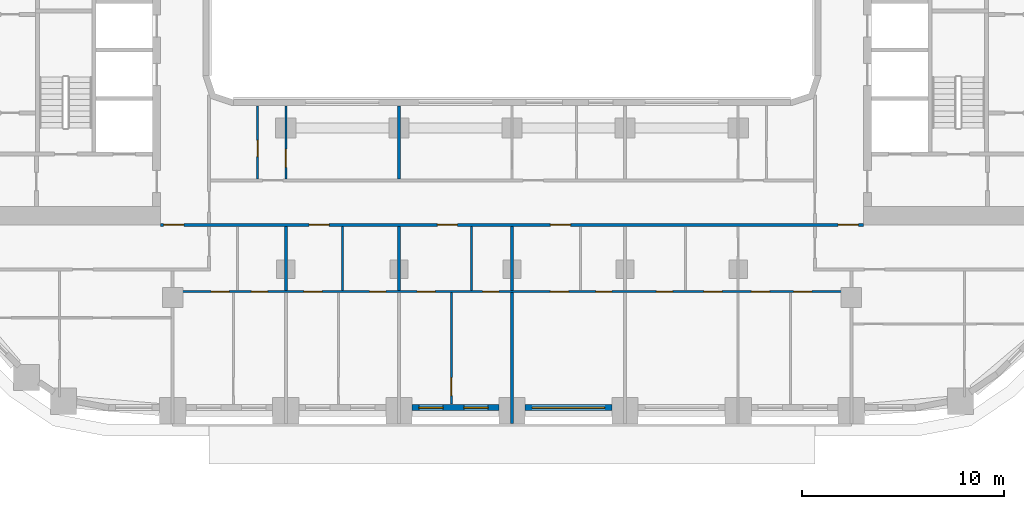
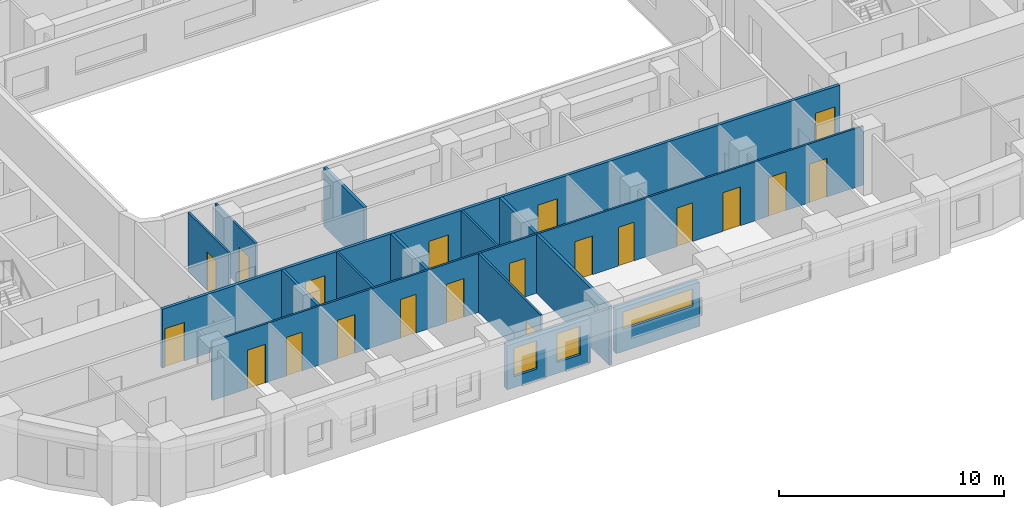
# One storey, part 3 of 22: 20 doors, 14 walls, 3 windows, 23 openings.
"""IFC4 building model written with IfcOpenShell, lengths in metres."""

from ifc_helpers import new_model, si_unit, direction, frame, frame_2d, origin, place, context, subcontext, project, spatial, rectangle, extrude, material, layer, layer_set, type_object, element, fill, save


model = new_model("IFC4")

# Units and contexts
model_context = context("Model", 3, precision=1e-05, world=origin(), true_north=direction((0.0, 1.0)))
body_context = subcontext(model_context, "Body", "Model", "MODEL_VIEW")
ifc_project = project(units=[si_unit("LENGTHUNIT", "METRE"), si_unit("AREAUNIT", "SQUARE_METRE"), si_unit("VOLUMEUNIT", "CUBIC_METRE"), si_unit("PLANEANGLEUNIT", "RADIAN"), si_unit("MASSUNIT", "GRAM", prefix="KILO")], contexts=[model_context])

# Site, building, storey
site_placement = place(None, origin())
site = spatial("IfcSite", under=ifc_project, at=site_placement, CompositionType="ELEMENT")
building_placement = place(site_placement, origin())
building = spatial("IfcBuilding", under=site, at=building_placement, Name="Kiln Ring Residences", CompositionType="ELEMENT")
storey_placement = place(building_placement, frame((0.0, 0.0, 90.300048828125)))
storey = spatial("IfcBuildingStorey", under=building, at=storey_placement, Name="L22", CompositionType="ELEMENT", Elevation=90.300048828125)

# Wall, openings, windows
ifc_material_1 = material(Name="Brick masonry, dark clay brick", Category="masonry")
ifc_layer_1 = layer(ifc_material_1, 0.300048828125)
ifc_layer_set_1 = layer_set([ifc_layer_1], Name="EW-300 BRICK WALL")
wall_type_1 = type_object("IfcWallType", Name="EW-300 BRICK WALL", PredefinedType="SOLIDWALL", material=ifc_layer_set_1)
wall_1_placement = place(storey_placement, frame((-4.949951171875, -22.25, 0.0), z_axis=(0.0, 0.0, 1.0), x_axis=(1.0, 0.0, 0.0)))
wall_1 = element("IfcWall", 1, at=wall_1_placement, inside=storey, type_object=wall_type_1, Name="Facade wall L22 7", PredefinedType="SOLIDWALL", context=body_context, shape_type="SweptSolid", body=[
    extrude(rectangle(XDim=4.300048828125, YDim=0.300048828125, at=frame_2d((2.14990234375, 0.0))), origin(), (0.0, 0.0, 1.0), 2.39990234375),
])
opening_1_placement = place(wall_1_placement, frame((0.33740234375, 0.0, 0.60009765625)))
opening_1 = element("IfcOpeningElement", 2, at=opening_1_placement, cuts=wall_1, Name="Opening W1", PredefinedType="OPENING", context=body_context, shape_type="SweptSolid", body=[
    extrude(rectangle(XDim=1.199951171875, YDim=1.550048828125, at=frame_2d((0.60009765625, 0.77490234375))), frame((0.0, 0.159912109375, 0.0), z_axis=(0.0, -1.0, 0.0), x_axis=(1.0, 0.0, 0.0)), (0.0, 0.0, 1.0), 0.320068359375),
])
opening_2_placement = place(wall_1_placement, frame((2.5625, 0.0, 0.60009765625)))
opening_2 = element("IfcOpeningElement", 3, at=opening_2_placement, cuts=wall_1, Name="Opening W1", PredefinedType="OPENING", context=body_context, shape_type="SweptSolid", body=[
    extrude(rectangle(XDim=1.199951171875, YDim=1.550048828125, at=frame_2d((0.60009765625, 0.77490234375))), frame((0.0, 0.159912109375, 0.0), z_axis=(0.0, -1.0, 0.0), x_axis=(1.0, 0.0, 0.0)), (0.0, 0.0, 1.0), 0.320068359375),
])
ifc_material_2 = material(Name="Aluminium frame with double glazing", Category="aluminium")
window_type_1 = type_object("IfcWindowType", Name="WINDOW 1200 x 1550", PartitioningType="SINGLE_PANEL", PredefinedType="WINDOW", material=ifc_material_2)
window_1_placement = place(opening_1_placement, origin())
window_1 = element("IfcWindow", 4, at=window_1_placement, inside=storey, type_object=window_type_1, Name="Window L22 7", OverallHeight=1.550048828125, OverallWidth=1.199951171875, PartitioningType="SINGLE_PANEL", PredefinedType="WINDOW", context=body_context, shape_type="SweptSolid", body=[
    extrude(rectangle(XDim=1.199951171875, YDim=1.550048828125, at=frame_2d((0.60009765625, 0.77490234375))), frame((0.0, 0.030029296875, 0.0), z_axis=(0.0, -1.0, 0.0), x_axis=(1.0, 0.0, 0.0)), (0.0, 0.0, 1.0), 0.06005859375),
])
fill(opening_1, window_1)
window_2_placement = place(opening_2_placement, origin())
window_2 = element("IfcWindow", 5, at=window_2_placement, inside=storey, type_object=window_type_1, Name="Window L22 8", OverallHeight=1.550048828125, OverallWidth=1.199951171875, PartitioningType="SINGLE_PANEL", PredefinedType="WINDOW", context=body_context, shape_type="SweptSolid", body=[
    extrude(rectangle(XDim=1.199951171875, YDim=1.550048828125, at=frame_2d((0.60009765625, 0.77490234375))), frame((0.0, 0.030029296875, 0.0), z_axis=(0.0, -1.0, 0.0), x_axis=(1.0, 0.0, 0.0)), (0.0, 0.0, 1.0), 0.06005859375),
])
fill(opening_2, window_2)

# Wall, opening, window
wall_2_placement = place(storey_placement, frame((0.64990234375, -22.25, 0.0), z_axis=(0.0, 0.0, 1.0), x_axis=(1.0, 0.0, 0.0)))
wall_2 = element("IfcWall", 6, at=wall_2_placement, inside=storey, type_object=wall_type_1, Name="Facade wall L22 8", PredefinedType="SOLIDWALL", context=body_context, shape_type="SweptSolid", body=[
    extrude(rectangle(XDim=4.300048828125, YDim=0.300048828125, at=frame_2d((2.14990234375, 0.0))), origin(), (0.0, 0.0, 1.0), 2.39990234375),
])
opening_3_placement = place(wall_2_placement, frame((0.35009765625, 0.0, 1.199951171875)))
opening_3 = element("IfcOpeningElement", 7, at=opening_3_placement, cuts=wall_2, Name="Opening W4", PredefinedType="OPENING", context=body_context, shape_type="SweptSolid", body=[
    extrude(rectangle(XDim=3.60009765625, YDim=0.949951171875, at=frame_2d((1.800048828125, 0.47509765625))), frame((0.0, 0.159912109375, 0.0), z_axis=(0.0, -1.0, 0.0), x_axis=(1.0, 0.0, 0.0)), (0.0, 0.0, 1.0), 0.320068359375),
])
ifc_material_3 = material(Name="Aluminium frame with double glazing", Category="aluminium")
window_type_2 = type_object("IfcWindowType", Name="WINDOW 3600 x 950", PartitioningType="SINGLE_PANEL", PredefinedType="WINDOW", material=ifc_material_3)
window_3_placement = place(opening_3_placement, origin())
window_3 = element("IfcWindow", 8, at=window_3_placement, inside=storey, type_object=window_type_2, Name="Window L22 9", OverallHeight=0.949951171875, OverallWidth=3.60009765625, PartitioningType="SINGLE_PANEL", PredefinedType="WINDOW", context=body_context, shape_type="SweptSolid", body=[
    extrude(rectangle(XDim=3.60009765625, YDim=0.949951171875, at=frame_2d((1.800048828125, 0.47509765625))), frame((0.0, 0.030029296875, 0.0), z_axis=(0.0, -1.0, 0.0), x_axis=(1.0, 0.0, 0.0)), (0.0, 0.0, 1.0), 0.06005859375),
])
fill(opening_3, window_3)

# Wall, openings, doors
ifc_material_4 = material(Name="Gypsum board on steel studs", Category="steel")
ifc_layer_2 = layer(ifc_material_4, 0.10009765625)
ifc_layer_set_2 = layer_set([ifc_layer_2], Name="PARTITION-100")
wall_type_2 = type_object("IfcWallType", Name="PARTITION-100", PredefinedType="PARTITIONING", material=ifc_layer_set_2)
wall_3_placement = place(storey_placement, frame((-16.72509765625, -16.5, 0.0), z_axis=(0.0, 0.0, 1.0), x_axis=(1.0, 0.0, 0.0)))
wall_3 = element("IfcWall", 9, at=wall_3_placement, inside=storey, type_object=wall_type_2, Name="Partition 002", PredefinedType="PARTITIONING", context=body_context, shape_type="SweptSolid", body=[
    extrude(rectangle(XDim=33.4501953125, YDim=0.10009765625, at=frame_2d((16.72509765625, 0.0))), origin(), (0.0, 0.0, 1.0), 3.199951171875),
])
opening_4_placement = place(wall_3_placement, frame((3.824951171875, 0.0, 0.0)))
opening_4 = element("IfcOpeningElement", 10, at=opening_4_placement, cuts=wall_3, Name="Opening L22-D053", PredefinedType="OPENING", context=body_context, shape_type="SweptSolid", body=[
    extrude(rectangle(XDim=0.800048828125, YDim=2.10009765625, at=frame_2d((0.39990234375, 1.050048828125))), frame((0.0, 0.06005859375, 0.0), z_axis=(0.0, -1.0, 0.0), x_axis=(1.0, 0.0, 0.0)), (0.0, 0.0, 1.0), 0.1201171875),
])
opening_5_placement = place(wall_3_placement, frame((1.824951171875, 0.0, 0.0)))
opening_5 = element("IfcOpeningElement", 11, at=opening_5_placement, cuts=wall_3, Name="Opening L22-D054", PredefinedType="OPENING", context=body_context, shape_type="SweptSolid", body=[
    extrude(rectangle(XDim=0.89990234375, YDim=2.10009765625, at=frame_2d((0.449951171875, 1.050048828125))), frame((0.0, 0.06005859375, 0.0), z_axis=(0.0, -1.0, 0.0), x_axis=(1.0, 0.0, 0.0)), (0.0, 0.0, 1.0), 0.1201171875),
])
opening_6_placement = place(wall_3_placement, frame((9.675048828125, 0.0, 0.0)))
opening_6 = element("IfcOpeningElement", 12, at=opening_6_placement, cuts=wall_3, Name="Opening L22-D057", PredefinedType="OPENING", context=body_context, shape_type="SweptSolid", body=[
    extrude(rectangle(XDim=0.800048828125, YDim=2.10009765625, at=frame_2d((0.39990234375, 1.050048828125))), frame((0.0, 0.06005859375, 0.0), z_axis=(0.0, -1.0, 0.0), x_axis=(1.0, 0.0, 0.0)), (0.0, 0.0, 1.0), 0.1201171875),
])
opening_7_placement = place(wall_3_placement, frame((6.425048828125, 0.0, 0.0)))
opening_7 = element("IfcOpeningElement", 13, at=opening_7_placement, cuts=wall_3, Name="Opening L22-D058", PredefinedType="OPENING", context=body_context, shape_type="SweptSolid", body=[
    extrude(rectangle(XDim=0.89990234375, YDim=2.10009765625, at=frame_2d((0.449951171875, 1.050048828125))), frame((0.0, 0.06005859375, 0.0), z_axis=(0.0, -1.0, 0.0), x_axis=(1.0, 0.0, 0.0)), (0.0, 0.0, 1.0), 0.1201171875),
])
opening_8_placement = place(wall_3_placement, frame((15.27490234375, 0.0, 0.0)))
opening_8 = element("IfcOpeningElement", 14, at=opening_8_placement, cuts=wall_3, Name="Opening L22-D061", PredefinedType="OPENING", context=body_context, shape_type="SweptSolid", body=[
    extrude(rectangle(XDim=0.800048828125, YDim=2.10009765625, at=frame_2d((0.39990234375, 1.050048828125))), frame((0.0, 0.06005859375, 0.0), z_axis=(0.0, -1.0, 0.0), x_axis=(1.0, 0.0, 0.0)), (0.0, 0.0, 1.0), 0.1201171875),
])
opening_9_placement = place(wall_3_placement, frame((12.02490234375, 0.0, 0.0)))
opening_9 = element("IfcOpeningElement", 15, at=opening_9_placement, cuts=wall_3, Name="Opening L22-D062", PredefinedType="OPENING", context=body_context, shape_type="SweptSolid", body=[
    extrude(rectangle(XDim=0.89990234375, YDim=2.10009765625, at=frame_2d((0.449951171875, 1.050048828125))), frame((0.0, 0.06005859375, 0.0), z_axis=(0.0, -1.0, 0.0), x_axis=(1.0, 0.0, 0.0)), (0.0, 0.0, 1.0), 0.1201171875),
])
opening_10_placement = place(wall_3_placement, frame((20.875, 0.0, 0.0)))
opening_10 = element("IfcOpeningElement", 16, at=opening_10_placement, cuts=wall_3, Name="Opening L22-D065", PredefinedType="OPENING", context=body_context, shape_type="SweptSolid", body=[
    extrude(rectangle(XDim=0.800048828125, YDim=2.10009765625, at=frame_2d((0.39990234375, 1.050048828125))), frame((0.0, 0.06005859375, 0.0), z_axis=(0.0, -1.0, 0.0), x_axis=(1.0, 0.0, 0.0)), (0.0, 0.0, 1.0), 0.1201171875),
])
opening_11_placement = place(wall_3_placement, frame((18.625, 0.0, 0.0)))
opening_11 = element("IfcOpeningElement", 17, at=opening_11_placement, cuts=wall_3, Name="Opening L22-D066", PredefinedType="OPENING", context=body_context, shape_type="SweptSolid", body=[
    extrude(rectangle(XDim=0.89990234375, YDim=2.10009765625, at=frame_2d((0.449951171875, 1.050048828125))), frame((0.0, 0.06005859375, 0.0), z_axis=(0.0, -1.0, 0.0), x_axis=(1.0, 0.0, 0.0)), (0.0, 0.0, 1.0), 0.1201171875),
])
opening_12_placement = place(wall_3_placement, frame((23.875, 0.0, 0.0)))
opening_12 = element("IfcOpeningElement", 18, at=opening_12_placement, cuts=wall_3, Name="Opening L22-D069", PredefinedType="OPENING", context=body_context, shape_type="SweptSolid", body=[
    extrude(rectangle(XDim=0.800048828125, YDim=2.10009765625, at=frame_2d((0.39990234375, 1.050048828125))), frame((0.0, 0.06005859375, 0.0), z_axis=(0.0, -1.0, 0.0), x_axis=(1.0, 0.0, 0.0)), (0.0, 0.0, 1.0), 0.1201171875),
])
opening_13_placement = place(wall_3_placement, frame((26.22509765625, 0.0, 0.0)))
opening_13 = element("IfcOpeningElement", 19, at=opening_13_placement, cuts=wall_3, Name="Opening L22-D070", PredefinedType="OPENING", context=body_context, shape_type="SweptSolid", body=[
    extrude(rectangle(XDim=0.89990234375, YDim=2.10009765625, at=frame_2d((0.449951171875, 1.050048828125))), frame((0.0, 0.06005859375, 0.0), z_axis=(0.0, -1.0, 0.0), x_axis=(1.0, 0.0, 0.0)), (0.0, 0.0, 1.0), 0.1201171875),
])
opening_14_placement = place(wall_3_placement, frame((28.574951171875, 0.0, 0.0)))
opening_14 = element("IfcOpeningElement", 20, at=opening_14_placement, cuts=wall_3, Name="Opening L22-D071", PredefinedType="OPENING", context=body_context, shape_type="SweptSolid", body=[
    extrude(rectangle(XDim=0.89990234375, YDim=2.10009765625, at=frame_2d((0.449951171875, 1.050048828125))), frame((0.0, 0.06005859375, 0.0), z_axis=(0.0, -1.0, 0.0), x_axis=(1.0, 0.0, 0.0)), (0.0, 0.0, 1.0), 0.1201171875),
])
opening_15_placement = place(wall_3_placement, frame((30.675048828125, 0.0, 0.0)))
opening_15 = element("IfcOpeningElement", 21, at=opening_15_placement, cuts=wall_3, Name="Opening L22-D072", PredefinedType="OPENING", context=body_context, shape_type="SweptSolid", body=[
    extrude(rectangle(XDim=0.89990234375, YDim=2.10009765625, at=frame_2d((0.449951171875, 1.050048828125))), frame((0.0, 0.06005859375, 0.0), z_axis=(0.0, -1.0, 0.0), x_axis=(1.0, 0.0, 0.0)), (0.0, 0.0, 1.0), 0.1201171875),
])
ifc_material_5 = material(Name="Timber door leaf", Category="wood")
door_type_1 = type_object("IfcDoorType", Name="FLAT-DOOR-800-PL", OperationType="SINGLE_SWING_LEFT", PredefinedType="DOOR", material=ifc_material_5)
door_1_placement = place(opening_4_placement, origin())
door_1 = element("IfcDoor", 22, at=door_1_placement, inside=storey, type_object=door_type_1, Name="Door L22-D053", OperationType="SINGLE_SWING_LEFT", OverallHeight=2.10009765625, OverallWidth=0.800048828125, PredefinedType="DOOR", context=body_context, shape_type="SweptSolid", body=[
    extrude(rectangle(XDim=0.800048828125, YDim=2.10009765625, at=frame_2d((0.39990234375, 1.050048828125))), frame((0.0, 0.02490234375, 0.0), z_axis=(0.0, -1.0, 0.0), x_axis=(1.0, 0.0, 0.0)), (0.0, 0.0, 1.0), 0.050048828125),
])
fill(opening_4, door_1)
door_2_placement = place(opening_6_placement, origin())
door_2 = element("IfcDoor", 23, at=door_2_placement, inside=storey, type_object=door_type_1, Name="Door L22-D057", OperationType="SINGLE_SWING_LEFT", OverallHeight=2.10009765625, OverallWidth=0.800048828125, PredefinedType="DOOR", context=body_context, shape_type="SweptSolid", body=[
    extrude(rectangle(XDim=0.800048828125, YDim=2.10009765625, at=frame_2d((0.39990234375, 1.050048828125))), frame((0.0, 0.02490234375, 0.0), z_axis=(0.0, -1.0, 0.0), x_axis=(1.0, 0.0, 0.0)), (0.0, 0.0, 1.0), 0.050048828125),
])
fill(opening_6, door_2)
door_3_placement = place(opening_8_placement, origin())
door_3 = element("IfcDoor", 24, at=door_3_placement, inside=storey, type_object=door_type_1, Name="Door L22-D061", OperationType="SINGLE_SWING_LEFT", OverallHeight=2.10009765625, OverallWidth=0.800048828125, PredefinedType="DOOR", context=body_context, shape_type="SweptSolid", body=[
    extrude(rectangle(XDim=0.800048828125, YDim=2.10009765625, at=frame_2d((0.39990234375, 1.050048828125))), frame((0.0, 0.02490234375, 0.0), z_axis=(0.0, -1.0, 0.0), x_axis=(1.0, 0.0, 0.0)), (0.0, 0.0, 1.0), 0.050048828125),
])
fill(opening_8, door_3)
door_4_placement = place(opening_10_placement, origin())
door_4 = element("IfcDoor", 25, at=door_4_placement, inside=storey, type_object=door_type_1, Name="Door L22-D065", OperationType="SINGLE_SWING_LEFT", OverallHeight=2.10009765625, OverallWidth=0.800048828125, PredefinedType="DOOR", context=body_context, shape_type="SweptSolid", body=[
    extrude(rectangle(XDim=0.800048828125, YDim=2.10009765625, at=frame_2d((0.39990234375, 1.050048828125))), frame((0.0, 0.02490234375, 0.0), z_axis=(0.0, -1.0, 0.0), x_axis=(1.0, 0.0, 0.0)), (0.0, 0.0, 1.0), 0.050048828125),
])
fill(opening_10, door_4)
door_5_placement = place(opening_12_placement, origin())
door_5 = element("IfcDoor", 26, at=door_5_placement, inside=storey, type_object=door_type_1, Name="Door L22-D069", OperationType="SINGLE_SWING_LEFT", OverallHeight=2.10009765625, OverallWidth=0.800048828125, PredefinedType="DOOR", context=body_context, shape_type="SweptSolid", body=[
    extrude(rectangle(XDim=0.800048828125, YDim=2.10009765625, at=frame_2d((0.39990234375, 1.050048828125))), frame((0.0, 0.02490234375, 0.0), z_axis=(0.0, -1.0, 0.0), x_axis=(1.0, 0.0, 0.0)), (0.0, 0.0, 1.0), 0.050048828125),
])
fill(opening_12, door_5)
ifc_material_6 = material(Name="Timber door leaf", Category="wood")
door_type_2 = type_object("IfcDoorType", Name="FLAT-DOOR-900-PL", OperationType="SINGLE_SWING_LEFT", PredefinedType="DOOR", material=ifc_material_6)
door_6_placement = place(opening_5_placement, origin())
door_6 = element("IfcDoor", 27, at=door_6_placement, inside=storey, type_object=door_type_2, Name="Door L22-D054", OperationType="SINGLE_SWING_RIGHT", OverallHeight=2.10009765625, OverallWidth=0.89990234375, PredefinedType="DOOR", context=body_context, shape_type="SweptSolid", body=[
    extrude(rectangle(XDim=0.89990234375, YDim=2.10009765625, at=frame_2d((0.449951171875, 1.050048828125))), frame((0.0, 0.02490234375, 0.0), z_axis=(0.0, -1.0, 0.0), x_axis=(1.0, 0.0, 0.0)), (0.0, 0.0, 1.0), 0.050048828125),
])
fill(opening_5, door_6)
door_7_placement = place(opening_7_placement, origin())
door_7 = element("IfcDoor", 28, at=door_7_placement, inside=storey, type_object=door_type_2, Name="Door L22-D058", OperationType="SINGLE_SWING_RIGHT", OverallHeight=2.10009765625, OverallWidth=0.89990234375, PredefinedType="DOOR", context=body_context, shape_type="SweptSolid", body=[
    extrude(rectangle(XDim=0.89990234375, YDim=2.10009765625, at=frame_2d((0.449951171875, 1.050048828125))), frame((0.0, 0.02490234375, 0.0), z_axis=(0.0, -1.0, 0.0), x_axis=(1.0, 0.0, 0.0)), (0.0, 0.0, 1.0), 0.050048828125),
])
fill(opening_7, door_7)
door_8_placement = place(opening_9_placement, origin())
door_8 = element("IfcDoor", 29, at=door_8_placement, inside=storey, type_object=door_type_2, Name="Door L22-D062", OperationType="SINGLE_SWING_RIGHT", OverallHeight=2.10009765625, OverallWidth=0.89990234375, PredefinedType="DOOR", context=body_context, shape_type="SweptSolid", body=[
    extrude(rectangle(XDim=0.89990234375, YDim=2.10009765625, at=frame_2d((0.449951171875, 1.050048828125))), frame((0.0, 0.02490234375, 0.0), z_axis=(0.0, -1.0, 0.0), x_axis=(1.0, 0.0, 0.0)), (0.0, 0.0, 1.0), 0.050048828125),
])
fill(opening_9, door_8)
door_9_placement = place(opening_11_placement, origin())
door_9 = element("IfcDoor", 30, at=door_9_placement, inside=storey, type_object=door_type_2, Name="Door L22-D066", OperationType="SINGLE_SWING_RIGHT", OverallHeight=2.10009765625, OverallWidth=0.89990234375, PredefinedType="DOOR", context=body_context, shape_type="SweptSolid", body=[
    extrude(rectangle(XDim=0.89990234375, YDim=2.10009765625, at=frame_2d((0.449951171875, 1.050048828125))), frame((0.0, 0.02490234375, 0.0), z_axis=(0.0, -1.0, 0.0), x_axis=(1.0, 0.0, 0.0)), (0.0, 0.0, 1.0), 0.050048828125),
])
fill(opening_11, door_9)
door_10_placement = place(opening_13_placement, origin())
door_10 = element("IfcDoor", 31, at=door_10_placement, inside=storey, type_object=door_type_2, Name="Door L22-D070", OperationType="SINGLE_SWING_RIGHT", OverallHeight=2.10009765625, OverallWidth=0.89990234375, PredefinedType="DOOR", context=body_context, shape_type="SweptSolid", body=[
    extrude(rectangle(XDim=0.89990234375, YDim=2.10009765625, at=frame_2d((0.449951171875, 1.050048828125))), frame((0.0, 0.02490234375, 0.0), z_axis=(0.0, -1.0, 0.0), x_axis=(1.0, 0.0, 0.0)), (0.0, 0.0, 1.0), 0.050048828125),
])
fill(opening_13, door_10)
door_11_placement = place(opening_14_placement, origin())
door_11 = element("IfcDoor", 32, at=door_11_placement, inside=storey, type_object=door_type_2, Name="Door L22-D071", OperationType="SINGLE_SWING_LEFT", OverallHeight=2.10009765625, OverallWidth=0.89990234375, PredefinedType="DOOR", context=body_context, shape_type="SweptSolid", body=[
    extrude(rectangle(XDim=0.89990234375, YDim=2.10009765625, at=frame_2d((0.449951171875, 1.050048828125))), frame((0.0, 0.02490234375, 0.0), z_axis=(0.0, -1.0, 0.0), x_axis=(1.0, 0.0, 0.0)), (0.0, 0.0, 1.0), 0.050048828125),
])
fill(opening_14, door_11)
door_12_placement = place(opening_15_placement, origin())
door_12 = element("IfcDoor", 33, at=door_12_placement, inside=storey, type_object=door_type_2, Name="Door L22-D072", OperationType="SINGLE_SWING_LEFT", OverallHeight=2.10009765625, OverallWidth=0.89990234375, PredefinedType="DOOR", context=body_context, shape_type="SweptSolid", body=[
    extrude(rectangle(XDim=0.89990234375, YDim=2.10009765625, at=frame_2d((0.449951171875, 1.050048828125))), frame((0.0, 0.02490234375, 0.0), z_axis=(0.0, -1.0, 0.0), x_axis=(1.0, 0.0, 0.0)), (0.0, 0.0, 1.0), 0.050048828125),
])
fill(opening_15, door_12)

# Wall, opening, door
wall_4_placement = place(storey_placement, frame((-12.60009765625, -10.925048828125, 0.0), z_axis=(0.0, 0.0, 1.0), x_axis=(0.0, 1.0, 0.0)))
wall_4 = element("IfcWall", 34, at=wall_4_placement, inside=storey, type_object=wall_type_2, Name="Partition 028", PredefinedType="PARTITIONING", context=body_context, shape_type="SweptSolid", body=[
    extrude(rectangle(XDim=3.60498046875, YDim=0.10009765625, at=frame_2d((1.802490234375, 0.0))), origin(), (0.0, 0.0, 1.0), 3.199951171875),
])
opening_16_placement = place(wall_4_placement, frame((1.10498046875, 0.0, 0.0)))
opening_16 = element("IfcOpeningElement", 35, at=opening_16_placement, cuts=wall_4, Name="Opening L22-D044", PredefinedType="OPENING", context=body_context, shape_type="SweptSolid", body=[
    extrude(rectangle(XDim=0.800048828125, YDim=2.10009765625, at=frame_2d((0.39990234375, 1.050048828125))), frame((0.0, 0.06005859375, 0.0), z_axis=(0.0, -1.0, 0.0), x_axis=(1.0, 0.0, 0.0)), (0.0, 0.0, 1.0), 0.1201171875),
])
door_13_placement = place(opening_16_placement, origin())
door_13 = element("IfcDoor", 36, at=door_13_placement, inside=storey, type_object=door_type_1, Name="Door L22-D044", OperationType="SINGLE_SWING_RIGHT", OverallHeight=2.10009765625, OverallWidth=0.800048828125, PredefinedType="DOOR", context=body_context, shape_type="SweptSolid", body=[
    extrude(rectangle(XDim=0.800048828125, YDim=2.10009765625, at=frame_2d((0.39990234375, 1.050048828125))), frame((0.0, 0.02490234375, 0.0), z_axis=(0.0, -1.0, 0.0), x_axis=(1.0, 0.0, 0.0)), (0.0, 0.0, 1.0), 0.050048828125),
])
fill(opening_16, door_13)

wall_5_placement = place(storey_placement, frame((-11.199951171875, -10.925048828125, 0.0), z_axis=(0.0, 0.0, 1.0), x_axis=(0.0, 1.0, 0.0)))
wall_5 = element("IfcWall", 37, at=wall_5_placement, inside=storey, type_object=wall_type_2, Name="Partition 029", PredefinedType="PARTITIONING", context=body_context, shape_type="SweptSolid", body=[
    extrude(rectangle(XDim=3.60498046875, YDim=0.10009765625, at=frame_2d((1.802490234375, 0.0))), origin(), (0.0, 0.0, 1.0), 3.199951171875),
])
opening_17_placement = place(wall_5_placement, frame((0.575927734375, 0.0, 0.0)))
opening_17 = element("IfcOpeningElement", 38, at=opening_17_placement, cuts=wall_5, Name="Opening L22-D045", PredefinedType="OPENING", context=body_context, shape_type="SweptSolid", body=[
    extrude(rectangle(XDim=0.89990234375, YDim=2.10009765625, at=frame_2d((0.449951171875, 1.050048828125))), frame((0.0, 0.06005859375, 0.0), z_axis=(0.0, -1.0, 0.0), x_axis=(1.0, 0.0, 0.0)), (0.0, 0.0, 1.0), 0.1201171875),
])
door_14_placement = place(opening_17_placement, origin())
door_14 = element("IfcDoor", 39, at=door_14_placement, inside=storey, type_object=door_type_2, Name="Door L22-D045", OperationType="SINGLE_SWING_LEFT", OverallHeight=2.10009765625, OverallWidth=0.89990234375, PredefinedType="DOOR", context=body_context, shape_type="SweptSolid", body=[
    extrude(rectangle(XDim=0.89990234375, YDim=2.10009765625, at=frame_2d((0.449951171875, 1.050048828125))), frame((0.0, 0.02490234375, 0.0), z_axis=(0.0, -1.0, 0.0), x_axis=(1.0, 0.0, 0.0)), (0.0, 0.0, 1.0), 0.050048828125),
])
fill(opening_17, door_14)

# Wall
wall_6_placement = place(storey_placement, frame((-8.39990234375, -16.449951171875, 0.0), z_axis=(0.0, 0.0, 1.0), x_axis=(0.0, 1.0, 0.0)))
element("IfcWall", 40, at=wall_6_placement, inside=storey, type_object=wall_type_2, Name="Partition 037", PredefinedType="PARTITIONING", context=body_context, shape_type="SweptSolid", body=[
    extrude(rectangle(XDim=3.175048828125, YDim=0.10009765625, at=frame_2d((1.58740234375, 0.0))), origin(), (0.0, 0.0, 1.0), 3.199951171875),
])

# Wall, opening, door
wall_7_placement = place(storey_placement, frame((-3.0, -22.080078125, 0.0), z_axis=(0.0, 0.0, 1.0), x_axis=(0.0, 1.0, 0.0)))
wall_7 = element("IfcWall", 41, at=wall_7_placement, inside=storey, type_object=wall_type_2, Name="Partition 044", PredefinedType="PARTITIONING", context=body_context, shape_type="SweptSolid", body=[
    extrude(rectangle(XDim=5.530029296875, YDim=0.10009765625, at=frame_2d((2.76513671875, 0.0))), origin(), (0.0, 0.0, 1.0), 3.199951171875),
])
opening_18_placement = place(wall_7_placement, frame((0.419921875, 0.0, 0.0)))
opening_18 = element("IfcOpeningElement", 42, at=opening_18_placement, cuts=wall_7, Name="Opening L22-D063", PredefinedType="OPENING", context=body_context, shape_type="SweptSolid", body=[
    extrude(rectangle(XDim=0.89990234375, YDim=2.10009765625, at=frame_2d((0.449951171875, 1.050048828125))), frame((0.0, 0.06005859375, 0.0), z_axis=(0.0, -1.0, 0.0), x_axis=(1.0, 0.0, 0.0)), (0.0, 0.0, 1.0), 0.1201171875),
])
door_15_placement = place(opening_18_placement, origin())
door_15 = element("IfcDoor", 43, at=door_15_placement, inside=storey, type_object=door_type_2, Name="Door L22-D063", OperationType="SINGLE_SWING_LEFT", OverallHeight=2.10009765625, OverallWidth=0.89990234375, PredefinedType="DOOR", context=body_context, shape_type="SweptSolid", body=[
    extrude(rectangle(XDim=0.89990234375, YDim=2.10009765625, at=frame_2d((0.449951171875, 1.050048828125))), frame((0.0, 0.02490234375, 0.0), z_axis=(0.0, -1.0, 0.0), x_axis=(1.0, 0.0, 0.0)), (0.0, 0.0, 1.0), 0.050048828125),
])
fill(opening_18, door_15)

# Wall
wall_8_placement = place(storey_placement, frame((-2.0, -16.449951171875, 0.0), z_axis=(0.0, 0.0, 1.0), x_axis=(0.0, 1.0, 0.0)))
element("IfcWall", 44, at=wall_8_placement, inside=storey, type_object=wall_type_2, Name="Partition 046", PredefinedType="PARTITIONING", context=body_context, shape_type="SweptSolid", body=[
    extrude(rectangle(XDim=3.175048828125, YDim=0.10009765625, at=frame_2d((1.58740234375, 0.0))), origin(), (0.0, 0.0, 1.0), 3.199951171875),
])

# Wall, openings, doors
ifc_material_7 = material(Name="Brick masonry partition", Category="masonry")
ifc_layer_3 = layer(ifc_material_7, 0.14990234375)
ifc_layer_set_3 = layer_set([ifc_layer_3], Name="PARTITION-150-ei60")
wall_type_3 = type_object("IfcWallType", Name="PARTITION-150-ei60", PredefinedType="PARTITIONING", material=ifc_layer_set_3)
wall_9_placement = place(storey_placement, frame((-17.39990234375, -13.199951171875, 0.0), z_axis=(0.0, 0.0, 1.0), x_axis=(1.0, 0.0, 0.0)))
wall_9 = element("IfcWall", 45, at=wall_9_placement, inside=storey, type_object=wall_type_3, Name="Partition 005", PredefinedType="PARTITIONING", context=body_context, shape_type="SweptSolid", body=[
    extrude(rectangle(XDim=34.7998046875, YDim=0.14990234375, at=frame_2d((17.39990234375, 0.0))), origin(), (0.0, 0.0, 1.0), 3.199951171875),
])
opening_19_placement = place(wall_9_placement, frame((0.14990234375, 0.0, 0.0)))
opening_19 = element("IfcOpeningElement", 46, at=opening_19_placement, cuts=wall_9, Name="Opening L22-D007", PredefinedType="OPENING", context=body_context, shape_type="SweptSolid", body=[
    extrude(rectangle(XDim=1.0, YDim=2.10009765625, at=frame_2d((0.5, 1.050048828125))), frame((0.0, 0.0849609375, 0.0), z_axis=(0.0, -1.0, 0.0), x_axis=(1.0, 0.0, 0.0)), (0.0, 0.0, 1.0), 0.169921875),
])
opening_20_placement = place(wall_9_placement, frame((33.550048828125, 0.0, 0.0)))
opening_20 = element("IfcOpeningElement", 47, at=opening_20_placement, cuts=wall_9, Name="Opening L22-D008", PredefinedType="OPENING", context=body_context, shape_type="SweptSolid", body=[
    extrude(rectangle(XDim=1.0, YDim=2.10009765625, at=frame_2d((0.5, 1.050048828125))), frame((0.0, 0.0849609375, 0.0), z_axis=(0.0, -1.0, 0.0), x_axis=(1.0, 0.0, 0.0)), (0.0, 0.0, 1.0), 0.169921875),
])
opening_21_placement = place(wall_9_placement, frame((7.35009765625, 0.0, 0.0)))
opening_21 = element("IfcOpeningElement", 48, at=opening_21_placement, cuts=wall_9, Name="Opening L22-D056", PredefinedType="OPENING", context=body_context, shape_type="SweptSolid", body=[
    extrude(rectangle(XDim=1.0, YDim=2.10009765625, at=frame_2d((0.5, 1.050048828125))), frame((0.0, 0.0849609375, 0.0), z_axis=(0.0, -1.0, 0.0), x_axis=(1.0, 0.0, 0.0)), (0.0, 0.0, 1.0), 0.169921875),
])
opening_22_placement = place(wall_9_placement, frame((13.699951171875, 0.0, 0.0)))
opening_22 = element("IfcOpeningElement", 49, at=opening_22_placement, cuts=wall_9, Name="Opening L22-D060", PredefinedType="OPENING", context=body_context, shape_type="SweptSolid", body=[
    extrude(rectangle(XDim=1.0, YDim=2.10009765625, at=frame_2d((0.5, 1.050048828125))), frame((0.0, 0.0849609375, 0.0), z_axis=(0.0, -1.0, 0.0), x_axis=(1.0, 0.0, 0.0)), (0.0, 0.0, 1.0), 0.169921875),
])
opening_23_placement = place(wall_9_placement, frame((19.300048828125, 0.0, 0.0)))
opening_23 = element("IfcOpeningElement", 50, at=opening_23_placement, cuts=wall_9, Name="Opening L22-D064", PredefinedType="OPENING", context=body_context, shape_type="SweptSolid", body=[
    extrude(rectangle(XDim=1.0, YDim=2.10009765625, at=frame_2d((0.5, 1.050048828125))), frame((0.0, 0.0849609375, 0.0), z_axis=(0.0, -1.0, 0.0), x_axis=(1.0, 0.0, 0.0)), (0.0, 0.0, 1.0), 0.169921875),
])
ifc_material_8 = material(Name="Steel faced fire door leaf", Category="steel")
door_type_3 = type_object("IfcDoorType", Name="FLAT-DOOR-1000-FR", OperationType="SINGLE_SWING_LEFT", PredefinedType="DOOR", material=ifc_material_8)
door_16_placement = place(opening_19_placement, origin())
door_16 = element("IfcDoor", 51, at=door_16_placement, inside=storey, type_object=door_type_3, Name="Door L22-D007", OperationType="SINGLE_SWING_RIGHT", OverallHeight=2.10009765625, OverallWidth=1.0, PredefinedType="DOOR", context=body_context, shape_type="SweptSolid", body=[
    extrude(rectangle(XDim=1.0, YDim=2.10009765625, at=frame_2d((0.5, 1.050048828125))), frame((0.0, 0.02490234375, 0.0), z_axis=(0.0, -1.0, 0.0), x_axis=(1.0, 0.0, 0.0)), (0.0, 0.0, 1.0), 0.050048828125),
])
fill(opening_19, door_16)
door_17_placement = place(opening_20_placement, origin())
door_17 = element("IfcDoor", 52, at=door_17_placement, inside=storey, type_object=door_type_3, Name="Door L22-D008", OperationType="SINGLE_SWING_LEFT", OverallHeight=2.10009765625, OverallWidth=1.0, PredefinedType="DOOR", context=body_context, shape_type="SweptSolid", body=[
    extrude(rectangle(XDim=1.0, YDim=2.10009765625, at=frame_2d((0.5, 1.050048828125))), frame((0.0, 0.02490234375, 0.0), z_axis=(0.0, -1.0, 0.0), x_axis=(1.0, 0.0, 0.0)), (0.0, 0.0, 1.0), 0.050048828125),
])
fill(opening_20, door_17)
door_18_placement = place(opening_21_placement, origin())
door_18 = element("IfcDoor", 53, at=door_18_placement, inside=storey, type_object=door_type_3, Name="Door L22-D056", OperationType="SINGLE_SWING_RIGHT", OverallHeight=2.10009765625, OverallWidth=1.0, PredefinedType="DOOR", context=body_context, shape_type="SweptSolid", body=[
    extrude(rectangle(XDim=1.0, YDim=2.10009765625, at=frame_2d((0.5, 1.050048828125))), frame((0.0, 0.02490234375, 0.0), z_axis=(0.0, -1.0, 0.0), x_axis=(1.0, 0.0, 0.0)), (0.0, 0.0, 1.0), 0.050048828125),
])
fill(opening_21, door_18)
door_19_placement = place(opening_22_placement, origin())
door_19 = element("IfcDoor", 54, at=door_19_placement, inside=storey, type_object=door_type_3, Name="Door L22-D060", OperationType="SINGLE_SWING_RIGHT", OverallHeight=2.10009765625, OverallWidth=1.0, PredefinedType="DOOR", context=body_context, shape_type="SweptSolid", body=[
    extrude(rectangle(XDim=1.0, YDim=2.10009765625, at=frame_2d((0.5, 1.050048828125))), frame((0.0, 0.02490234375, 0.0), z_axis=(0.0, -1.0, 0.0), x_axis=(1.0, 0.0, 0.0)), (0.0, 0.0, 1.0), 0.050048828125),
])
fill(opening_22, door_19)
door_20_placement = place(opening_23_placement, origin())
door_20 = element("IfcDoor", 55, at=door_20_placement, inside=storey, type_object=door_type_3, Name="Door L22-D064", OperationType="SINGLE_SWING_RIGHT", OverallHeight=2.10009765625, OverallWidth=1.0, PredefinedType="DOOR", context=body_context, shape_type="SweptSolid", body=[
    extrude(rectangle(XDim=1.0, YDim=2.10009765625, at=frame_2d((0.5, 1.050048828125))), frame((0.0, 0.02490234375, 0.0), z_axis=(0.0, -1.0, 0.0), x_axis=(1.0, 0.0, 0.0)), (0.0, 0.0, 1.0), 0.050048828125),
])
fill(opening_23, door_20)

# Walls
for number, where, z_axis, x_axis, name in (
    (56, (-11.199951171875, -16.449951171875, 0.0), (0.0, 0.0, 1.0), (0.0, 1.0, 0.0), "Partition 032"),
    (57, (-5.60009765625, -16.449951171875, 0.0), (0.0, 0.0, 1.0), (0.0, 1.0, 0.0), "Partition 042"),
):
    element("IfcWall", number, at=place(storey_placement, frame(where, z_axis=z_axis, x_axis=x_axis)), inside=storey, type_object=wall_type_3, Name=name, PredefinedType="PARTITIONING", context=body_context, shape_type="SweptSolid", body=[
        extrude(rectangle(XDim=3.175048828125, YDim=0.14990234375, at=frame_2d((1.58740234375, 0.0))), origin(), (0.0, 0.0, 1.0), 3.199951171875),
    ])
wall_10_placement = place(storey_placement, frame((-5.60009765625, -10.925048828125, 0.0), z_axis=(0.0, 0.0, 1.0), x_axis=(0.0, 1.0, 0.0)))
element("IfcWall", 58, at=wall_10_placement, inside=storey, type_object=wall_type_3, Name="Partition 043", PredefinedType="PARTITIONING", context=body_context, shape_type="SweptSolid", body=[
    extrude(rectangle(XDim=3.60498046875, YDim=0.14990234375, at=frame_2d((1.802490234375, 0.0))), origin(), (0.0, 0.0, 1.0), 3.199951171875),
])
wall_11_placement = place(storey_placement, frame((0.0, -23.030029296875, 0.0), z_axis=(0.0, 0.0, 1.0), x_axis=(0.0, 1.0, 0.0)))
element("IfcWall", 59, at=wall_11_placement, inside=storey, type_object=wall_type_3, Name="Partition 049", PredefinedType="PARTITIONING", context=body_context, shape_type="SweptSolid", body=[
    extrude(rectangle(XDim=6.47998046875, YDim=0.14990234375, at=frame_2d((3.239990234375, 0.0))), origin(), (0.0, 0.0, 1.0), 3.199951171875),
])
wall_12_placement = place(storey_placement, frame((0.0, -16.449951171875, 0.0), z_axis=(0.0, 0.0, 1.0), x_axis=(0.0, 1.0, 0.0)))
element("IfcWall", 60, at=wall_12_placement, inside=storey, type_object=wall_type_3, Name="Partition 050", PredefinedType="PARTITIONING", context=body_context, shape_type="SweptSolid", body=[
    extrude(rectangle(XDim=3.175048828125, YDim=0.14990234375, at=frame_2d((1.58740234375, 0.0))), origin(), (0.0, 0.0, 1.0), 3.199951171875),
])

save(model, "model.ifc")
